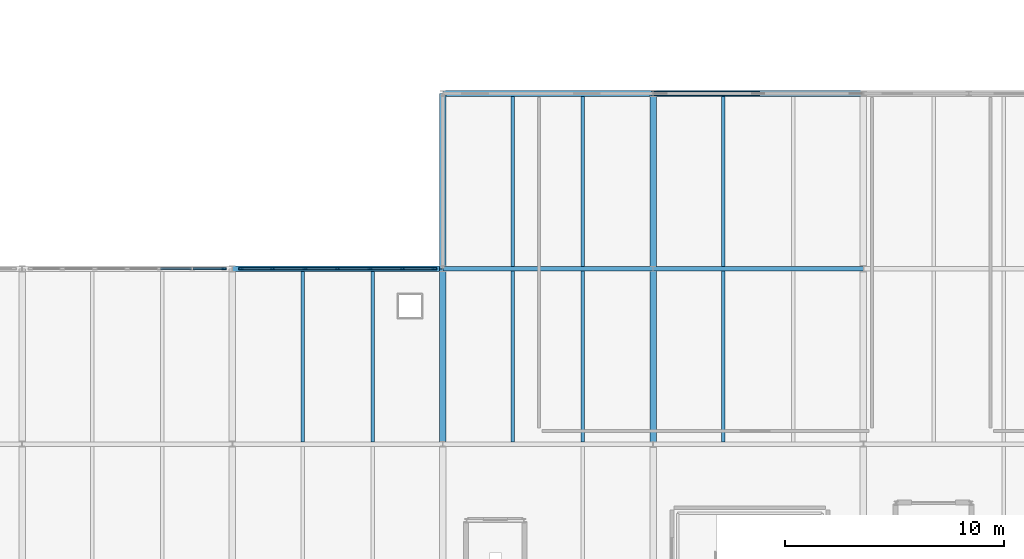
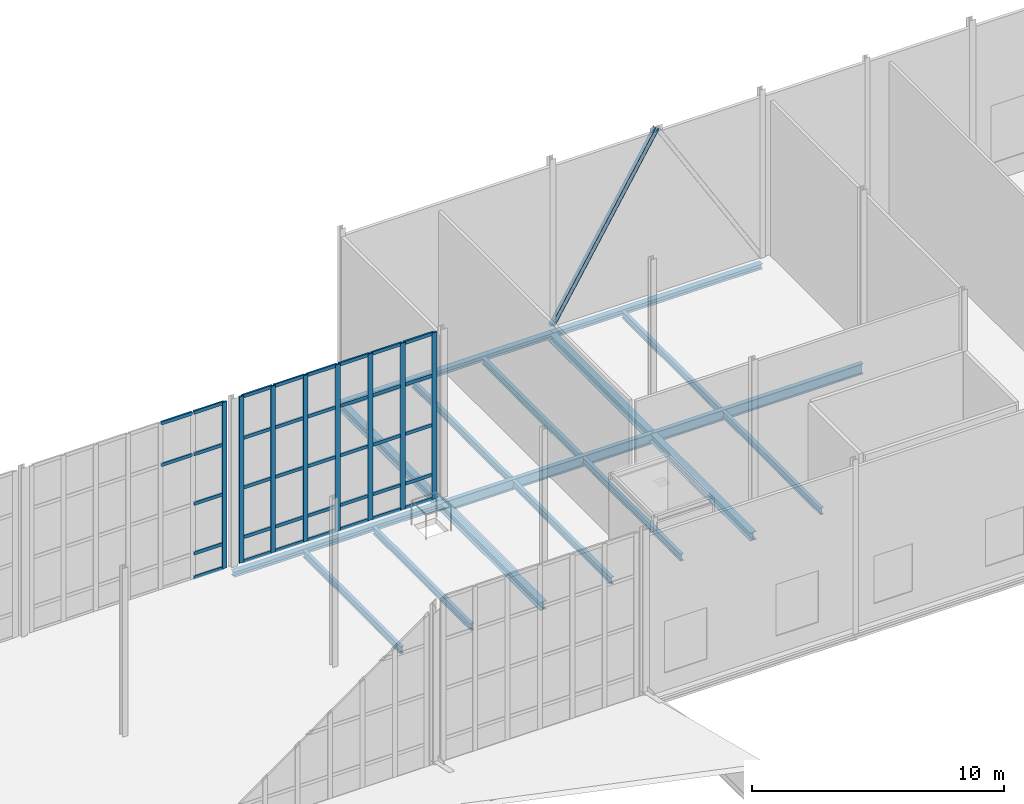
# One storey, part 41 of 73: 46 members, 17 beams, 2 elements without a shape of their own.
"""IFC4 building model written with IfcOpenShell, lengths in metres."""

from ifc_helpers import new_model, si_unit, direction, frame, origin, origin_2d, place, context, subcontext, project, spatial, rectangle, i_section, extrude, material, layer, layer_set, material_profile, profile_set, type_object, element, aggregate, save


model = new_model("IFC4")

# Units and contexts
model_context = context("Model", 3, precision=1e-05, world=origin(), true_north=direction((0.0, 1.0)))
body_context = subcontext(model_context, "Body", "Model", "MODEL_VIEW")
ifc_project = project(units=[si_unit("LENGTHUNIT", "METRE"), si_unit("AREAUNIT", "SQUARE_METRE"), si_unit("VOLUMEUNIT", "CUBIC_METRE"), si_unit("PLANEANGLEUNIT", "RADIAN"), si_unit("MASSUNIT", "GRAM", prefix="KILO")], contexts=[model_context])

# Site, building, storey
site_placement = place(None, origin())
site = spatial("IfcSite", under=ifc_project, at=site_placement, CompositionType="ELEMENT")
building_placement = place(site_placement, origin())
building = spatial("IfcBuilding", under=site, at=building_placement, Name="Alderhovde Museum", CompositionType="ELEMENT")
storey_placement = place(building_placement, frame((0.0, 0.0, 17.39990234375)))
storey = spatial("IfcBuildingStorey", under=building, at=storey_placement, Name="L04", CompositionType="ELEMENT", Elevation=17.39990234375)

# Beams
ifc_material_1 = material(Name="Steel S355J2", Category="steel")
ifc_material_profile_1 = material_profile(ifc_material_1, i_section(OverallWidth=0.300048828125, OverallDepth=0.389892578125, WebThickness=0.010986328125, FlangeThickness=0.01904296875, FilletRadius=0.027099609375, at=origin_2d()), Name="HEA 400")
ifc_profile_set_1 = profile_set([ifc_material_profile_1], Name="Steel S355J2")
beam_type_1 = type_object("IfcBeamType", Name="BM-HEA400", PredefinedType="BEAM", material=ifc_profile_set_1)
for number, where, z_axis, x_axis, name in (
    (1, (115.199951171875, 80.0, -0.474853515625), (0.0, 1.0, 0.0), (-1.0, 0.0, 0.0), "L04 Grid Beam X=115.2 (80.0 TO 88.0)"),
    (2, (115.199951171875, 88.0, -0.474853515625), (0.0, 1.0, 0.0), (-1.0, 0.0, 0.0), "L04 Grid Beam X=115.2 (88.0 TO 96.0)"),
    (3, (124.800048828125, 80.0, -0.474853515625), (0.0, 1.0, 0.0), (-1.0, 0.0, 0.0), "L04 Grid Beam X=124.8 (80.0 TO 88.0)"),
    (4, (124.800048828125, 88.0, -0.474853515625), (0.0, 1.0, 0.0), (-1.0, 0.0, 0.0), "L04 Grid Beam X=124.8 (88.0 TO 96.0)"),
):
    element("IfcBeam", number, at=place(storey_placement, frame(where, z_axis=z_axis, x_axis=x_axis)), inside=storey, type_object=beam_type_1, Name=name, PredefinedType="BEAM", context=body_context, shape_type="SweptSolid", body=[
        extrude(i_section(OverallWidth=0.300048828125, OverallDepth=0.389892578125, WebThickness=0.010986328125, FlangeThickness=0.01904296875, FilletRadius=0.027099609375, at=origin_2d()), origin(), (0.0, 0.0, 1.0), 8.0),
    ])
ifc_material_2 = material(Name="Steel S355J2", Category="steel")
ifc_material_profile_2 = material_profile(ifc_material_2, i_section(OverallWidth=0.199951171875, OverallDepth=0.5, WebThickness=0.01025390625, FlangeThickness=0.01611328125, FilletRadius=0.02099609375, at=origin_2d()), Name="IPE 500")
ifc_profile_set_2 = profile_set([ifc_material_profile_2], Name="Steel S355J2")
beam_type_2 = type_object("IfcBeamType", Name="BM-IPE500", PredefinedType="BEAM", material=ifc_profile_set_2)
beam_1_placement = place(storey_placement, frame((115.199951171875, 88.0, -0.52978515625), z_axis=(1.0, 0.0, 0.0), x_axis=(0.0, 1.0, 0.0)))
element("IfcBeam", 5, at=beam_1_placement, inside=storey, type_object=beam_type_2, Name="L04 Grid Beam Y=88.0 (115.2 TO 124.8)", PredefinedType="BEAM", context=body_context, shape_type="SweptSolid", body=[
    extrude(i_section(OverallWidth=0.199951171875, OverallDepth=0.5, WebThickness=0.01025390625, FlangeThickness=0.01611328125, FilletRadius=0.02099609375, at=origin_2d()), origin(), (0.0, 0.0, 1.0), 9.60009765625),
])
beam_2_placement = place(storey_placement, frame((124.800048828125, 88.0, -0.52978515625), z_axis=(1.0, 0.0, 0.0), x_axis=(0.0, 1.0, 0.0)))
element("IfcBeam", 6, at=beam_2_placement, inside=storey, type_object=beam_type_2, Name="L04 Grid Beam Y=88.0 (124.8 TO 134.4)", PredefinedType="BEAM", context=body_context, shape_type="SweptSolid", body=[
    extrude(i_section(OverallWidth=0.199951171875, OverallDepth=0.5, WebThickness=0.01025390625, FlangeThickness=0.01611328125, FilletRadius=0.02099609375, at=origin_2d()), origin(), (0.0, 0.0, 1.0), 9.599853515625),
])

# Member
ifc_material_3 = material(Name="Steel S355J2", Category="steel")
ifc_material_profile_3 = material_profile(ifc_material_3, i_section(OverallWidth=0.199951171875, OverallDepth=0.18994140625, WebThickness=0.006591796875, FlangeThickness=0.010009765625, FilletRadius=0.01806640625, at=origin_2d()), Name="HEA 200")
ifc_profile_set_3 = profile_set([ifc_material_profile_3], Name="Steel S355J2")
member_type_1 = type_object("IfcMemberType", Name="BR-HEA200", PredefinedType="BRACE", material=ifc_profile_set_3)
member_1_placement = place(storey_placement, frame((124.800048828125, 96.0, 0.0), z_axis=(0.518297626393, 0.0, 0.855200310147), x_axis=(0.0, 1.0, 0.0)))
element("IfcMember", 7, at=member_1_placement, inside=storey, type_object=member_type_1, Name="L04 Chevron Brace BR-V5-N-L", PredefinedType="BRACE", context=body_context, shape_type="SweptSolid", body=[
    extrude(i_section(OverallWidth=0.199951171875, OverallDepth=0.18994140625, WebThickness=0.006591796875, FlangeThickness=0.010009765625, FilletRadius=0.01806640625, at=origin_2d()), origin(), (0.0, 0.0, 1.0), 9.26123046875),
])

# Curtain wall, member
ifc_material_4 = material(Name="Triple-Glazed Bronze-Anodised Curtain Wall", Category="glass")
ifc_layer = layer(ifc_material_4, 0.219970703125)
ifc_layer_set = layer_set([ifc_layer], Name="Triple-Glazed Bronze-Anodised Curtain Wall")
curtain_wall_type = type_object("IfcCurtainWallType", Name="CW-UNIT-890x805", PredefinedType="USERDEFINED", material=ifc_layer_set)
curtain_wall_1_placement = place(storey_placement, origin())
curtain_wall_1 = element("IfcCurtainWall", 8, at=curtain_wall_1_placement, inside=storey, type_object=curtain_wall_type, Name="L04 Unitised Curtain Wall 85", ObjectType="UNITISED CURTAIN WALL", PredefinedType="USERDEFINED")
ifc_material_5 = material(Name="Bronze-Anodised Aluminium EN AW-6063-T6", Category="aluminium")
ifc_material_profile_4 = material_profile(ifc_material_5, rectangle(XDim=0.074951171875, YDim=0.219970703125, at=origin_2d()), Name="MULLION 75x220")
ifc_profile_set_4 = profile_set([ifc_material_profile_4], Name="Bronze-Anodised Aluminium EN AW-6063-T6")
member_type_2 = type_object("IfcMemberType", Name="CWM-75x220", PredefinedType="MULLION", material=ifc_profile_set_4)
member_2_placement = place(storey_placement, frame((105.21240234375, 88.0, 0.0), z_axis=(0.0, 0.0, 1.0), x_axis=(0.0, 1.0, 0.0)))
member_2 = element("IfcMember", 9, at=member_2_placement, type_object=member_type_2, Name="CW21 mullion 7", PredefinedType="MULLION", context=body_context, shape_type="SweptSolid", body=[
    extrude(rectangle(XDim=0.074951171875, YDim=0.219970703125, at=origin_2d()), origin(), (0.0, 0.0, 1.0), 8.050048828125),
])

# Curtain wall, members
curtain_wall_2_placement = place(storey_placement, origin())
curtain_wall_2 = element("IfcCurtainWall", 10, at=curtain_wall_2_placement, inside=storey, type_object=curtain_wall_type, Name="L04 Unitised Curtain Wall 87", ObjectType="UNITISED CURTAIN WALL", PredefinedType="USERDEFINED")
member_3_placement = place(storey_placement, frame((105.987548828125, 88.0, 0.0), z_axis=(0.0, 0.0, 1.0), x_axis=(0.0, 1.0, 0.0)))
member_3 = element("IfcMember", 11, at=member_3_placement, type_object=member_type_2, Name="CW21 mullion 1", PredefinedType="MULLION", context=body_context, shape_type="SweptSolid", body=[
    extrude(rectangle(XDim=0.074951171875, YDim=0.219970703125, at=origin_2d()), origin(), (0.0, 0.0, 1.0), 8.050048828125),
])
member_4_placement = place(storey_placement, frame((107.433349609375, 88.0, 0.0), z_axis=(0.0, 0.0, 1.0), x_axis=(0.0, 1.0, 0.0)))
member_4 = element("IfcMember", 12, at=member_4_placement, type_object=member_type_2, Name="CW21 mullion 2", PredefinedType="MULLION", context=body_context, shape_type="SweptSolid", body=[
    extrude(rectangle(XDim=0.074951171875, YDim=0.219970703125, at=origin_2d()), origin(), (0.0, 0.0, 1.0), 8.050048828125),
])
member_5_placement = place(storey_placement, frame((108.916748046875, 88.0, 0.0), z_axis=(0.0, 0.0, 1.0), x_axis=(0.0, 1.0, 0.0)))
member_5 = element("IfcMember", 13, at=member_5_placement, type_object=member_type_2, Name="CW21 mullion 3", PredefinedType="MULLION", context=body_context, shape_type="SweptSolid", body=[
    extrude(rectangle(XDim=0.074951171875, YDim=0.219970703125, at=origin_2d()), origin(), (0.0, 0.0, 1.0), 8.050048828125),
])
member_6_placement = place(storey_placement, frame((110.39990234375, 88.0, 0.0), z_axis=(0.0, 0.0, 1.0), x_axis=(0.0, 1.0, 0.0)))
member_6 = element("IfcMember", 14, at=member_6_placement, type_object=member_type_2, Name="CW21 mullion 4", PredefinedType="MULLION", context=body_context, shape_type="SweptSolid", body=[
    extrude(rectangle(XDim=0.074951171875, YDim=0.219970703125, at=origin_2d()), origin(), (0.0, 0.0, 1.0), 8.050048828125),
])
member_7_placement = place(storey_placement, frame((111.88330078125, 88.0, 0.0), z_axis=(0.0, 0.0, 1.0), x_axis=(0.0, 1.0, 0.0)))
member_7 = element("IfcMember", 15, at=member_7_placement, type_object=member_type_2, Name="CW21 mullion 5", PredefinedType="MULLION", context=body_context, shape_type="SweptSolid", body=[
    extrude(rectangle(XDim=0.074951171875, YDim=0.219970703125, at=origin_2d()), origin(), (0.0, 0.0, 1.0), 8.050048828125),
])
member_8_placement = place(storey_placement, frame((113.36669921875, 88.0, 0.0), z_axis=(0.0, 0.0, 1.0), x_axis=(0.0, 1.0, 0.0)))
member_8 = element("IfcMember", 16, at=member_8_placement, type_object=member_type_2, Name="CW21 mullion 6", PredefinedType="MULLION", context=body_context, shape_type="SweptSolid", body=[
    extrude(rectangle(XDim=0.074951171875, YDim=0.219970703125, at=origin_2d()), origin(), (0.0, 0.0, 1.0), 8.050048828125),
])
member_9_placement = place(storey_placement, frame((114.8125, 88.0, 0.0), z_axis=(0.0, 0.0, 1.0), x_axis=(0.0, 1.0, 0.0)))
member_9 = element("IfcMember", 17, at=member_9_placement, type_object=member_type_2, Name="CW21 mullion 7", PredefinedType="MULLION", context=body_context, shape_type="SweptSolid", body=[
    extrude(rectangle(XDim=0.074951171875, YDim=0.219970703125, at=origin_2d()), origin(), (0.0, 0.0, 1.0), 8.050048828125),
])

# Member
ifc_material_6 = material(Name="Bronze-Anodised Aluminium EN AW-6063-T6", Category="aluminium")
ifc_material_profile_5 = material_profile(ifc_material_6, rectangle(XDim=0.074951171875, YDim=0.159912109375, at=origin_2d()), Name="TRANSOM 75x160")
ifc_profile_set_5 = profile_set([ifc_material_profile_5], Name="Bronze-Anodised Aluminium EN AW-6063-T6")
member_type_3 = type_object("IfcMemberType", Name="CWT-75x160", PredefinedType="USERDEFINED", material=ifc_profile_set_5)
member_10_placement = place(storey_placement, frame((102.32080078125, 88.0, 6.0), z_axis=(1.0, 0.0, 0.0), x_axis=(0.0, 1.0, 0.0)))
member_10 = element("IfcMember", 18, at=member_10_placement, type_object=member_type_3, Name="CW21 transom 5.4", ObjectType="TRANSOM", PredefinedType="USERDEFINED", context=body_context, shape_type="SweptSolid", body=[
    extrude(rectangle(XDim=0.074951171875, YDim=0.159912109375, at=origin_2d()), origin(), (0.0, 0.0, 1.0), 1.408447265625),
])

member_11_placement = place(storey_placement, frame((102.32080078125, 88.0, 8.0126953125), z_axis=(1.0, 0.0, 0.0), x_axis=(0.0, 1.0, 0.0)))
member_11 = element("IfcMember", 19, at=member_11_placement, type_object=member_type_3, Name="CW21 transom 5.5", ObjectType="TRANSOM", PredefinedType="USERDEFINED", context=body_context, shape_type="SweptSolid", body=[
    extrude(rectangle(XDim=0.074951171875, YDim=0.159912109375, at=origin_2d()), origin(), (0.0, 0.0, 1.0), 1.408447265625),
])

member_12_placement = place(storey_placement, frame((103.80419921875, 88.0, 0.03759765625), z_axis=(1.0, 0.0, 0.0), x_axis=(0.0, 1.0, 0.0)))
member_12 = element("IfcMember", 20, at=member_12_placement, type_object=member_type_3, Name="CW21 transom 6.1", ObjectType="TRANSOM", PredefinedType="USERDEFINED", context=body_context, shape_type="SweptSolid", body=[
    extrude(rectangle(XDim=0.074951171875, YDim=0.159912109375, at=origin_2d()), origin(), (0.0, 0.0, 1.0), 1.370849609375),
])

member_13_placement = place(storey_placement, frame((103.80419921875, 88.0, 1.2001953125), z_axis=(1.0, 0.0, 0.0), x_axis=(0.0, 1.0, 0.0)))
member_13 = element("IfcMember", 21, at=member_13_placement, type_object=member_type_3, Name="CW21 transom 6.2", ObjectType="TRANSOM", PredefinedType="USERDEFINED", context=body_context, shape_type="SweptSolid", body=[
    extrude(rectangle(XDim=0.074951171875, YDim=0.159912109375, at=origin_2d()), origin(), (0.0, 0.0, 1.0), 1.370849609375),
])

member_14_placement = place(storey_placement, frame((103.80419921875, 88.0, 3.60009765625), z_axis=(1.0, 0.0, 0.0), x_axis=(0.0, 1.0, 0.0)))
member_14 = element("IfcMember", 22, at=member_14_placement, type_object=member_type_3, Name="CW21 transom 6.3", ObjectType="TRANSOM", PredefinedType="USERDEFINED", context=body_context, shape_type="SweptSolid", body=[
    extrude(rectangle(XDim=0.074951171875, YDim=0.159912109375, at=origin_2d()), origin(), (0.0, 0.0, 1.0), 1.370849609375),
])

member_15_placement = place(storey_placement, frame((103.80419921875, 88.0, 6.0), z_axis=(1.0, 0.0, 0.0), x_axis=(0.0, 1.0, 0.0)))
member_15 = element("IfcMember", 23, at=member_15_placement, type_object=member_type_3, Name="CW21 transom 6.4", ObjectType="TRANSOM", PredefinedType="USERDEFINED", context=body_context, shape_type="SweptSolid", body=[
    extrude(rectangle(XDim=0.074951171875, YDim=0.159912109375, at=origin_2d()), origin(), (0.0, 0.0, 1.0), 1.370849609375),
])

member_16_placement = place(storey_placement, frame((103.80419921875, 88.0, 8.0126953125), z_axis=(1.0, 0.0, 0.0), x_axis=(0.0, 1.0, 0.0)))
member_16 = element("IfcMember", 24, at=member_16_placement, type_object=member_type_3, Name="CW21 transom 6.5", ObjectType="TRANSOM", PredefinedType="USERDEFINED", context=body_context, shape_type="SweptSolid", body=[
    extrude(rectangle(XDim=0.074951171875, YDim=0.159912109375, at=origin_2d()), origin(), (0.0, 0.0, 1.0), 1.370849609375),
])

aggregate(curtain_wall_1, [member_2, member_10, member_11, member_12, member_13, member_14, member_15, member_16])

member_17_placement = place(storey_placement, frame((106.02490234375, 88.0, 0.03759765625), z_axis=(1.0, 0.0, 0.0), x_axis=(0.0, 1.0, 0.0)))
member_17 = element("IfcMember", 25, at=member_17_placement, type_object=member_type_3, Name="CW21 transom 1.1", ObjectType="TRANSOM", PredefinedType="USERDEFINED", context=body_context, shape_type="SweptSolid", body=[
    extrude(rectangle(XDim=0.074951171875, YDim=0.159912109375, at=origin_2d()), origin(), (0.0, 0.0, 1.0), 1.370849609375),
])

member_18_placement = place(storey_placement, frame((106.02490234375, 88.0, 1.2001953125), z_axis=(1.0, 0.0, 0.0), x_axis=(0.0, 1.0, 0.0)))
member_18 = element("IfcMember", 26, at=member_18_placement, type_object=member_type_3, Name="CW21 transom 1.2", ObjectType="TRANSOM", PredefinedType="USERDEFINED", context=body_context, shape_type="SweptSolid", body=[
    extrude(rectangle(XDim=0.074951171875, YDim=0.159912109375, at=origin_2d()), origin(), (0.0, 0.0, 1.0), 1.370849609375),
])

member_19_placement = place(storey_placement, frame((106.02490234375, 88.0, 3.60009765625), z_axis=(1.0, 0.0, 0.0), x_axis=(0.0, 1.0, 0.0)))
member_19 = element("IfcMember", 27, at=member_19_placement, type_object=member_type_3, Name="CW21 transom 1.3", ObjectType="TRANSOM", PredefinedType="USERDEFINED", context=body_context, shape_type="SweptSolid", body=[
    extrude(rectangle(XDim=0.074951171875, YDim=0.159912109375, at=origin_2d()), origin(), (0.0, 0.0, 1.0), 1.370849609375),
])

member_20_placement = place(storey_placement, frame((106.02490234375, 88.0, 6.0), z_axis=(1.0, 0.0, 0.0), x_axis=(0.0, 1.0, 0.0)))
member_20 = element("IfcMember", 28, at=member_20_placement, type_object=member_type_3, Name="CW21 transom 1.4", ObjectType="TRANSOM", PredefinedType="USERDEFINED", context=body_context, shape_type="SweptSolid", body=[
    extrude(rectangle(XDim=0.074951171875, YDim=0.159912109375, at=origin_2d()), origin(), (0.0, 0.0, 1.0), 1.370849609375),
])

member_21_placement = place(storey_placement, frame((106.02490234375, 88.0, 8.0126953125), z_axis=(1.0, 0.0, 0.0), x_axis=(0.0, 1.0, 0.0)))
member_21 = element("IfcMember", 29, at=member_21_placement, type_object=member_type_3, Name="CW21 transom 1.5", ObjectType="TRANSOM", PredefinedType="USERDEFINED", context=body_context, shape_type="SweptSolid", body=[
    extrude(rectangle(XDim=0.074951171875, YDim=0.159912109375, at=origin_2d()), origin(), (0.0, 0.0, 1.0), 1.370849609375),
])

member_22_placement = place(storey_placement, frame((107.470947265625, 88.0, 0.03759765625), z_axis=(1.0, 0.0, 0.0), x_axis=(0.0, 1.0, 0.0)))
member_22 = element("IfcMember", 30, at=member_22_placement, type_object=member_type_3, Name="CW21 transom 2.1", ObjectType="TRANSOM", PredefinedType="USERDEFINED", context=body_context, shape_type="SweptSolid", body=[
    extrude(rectangle(XDim=0.074951171875, YDim=0.159912109375, at=origin_2d()), origin(), (0.0, 0.0, 1.0), 1.408203125),
])

member_23_placement = place(storey_placement, frame((107.470947265625, 88.0, 1.2001953125), z_axis=(1.0, 0.0, 0.0), x_axis=(0.0, 1.0, 0.0)))
member_23 = element("IfcMember", 31, at=member_23_placement, type_object=member_type_3, Name="CW21 transom 2.2", ObjectType="TRANSOM", PredefinedType="USERDEFINED", context=body_context, shape_type="SweptSolid", body=[
    extrude(rectangle(XDim=0.074951171875, YDim=0.159912109375, at=origin_2d()), origin(), (0.0, 0.0, 1.0), 1.408203125),
])

member_24_placement = place(storey_placement, frame((107.470947265625, 88.0, 3.60009765625), z_axis=(1.0, 0.0, 0.0), x_axis=(0.0, 1.0, 0.0)))
member_24 = element("IfcMember", 32, at=member_24_placement, type_object=member_type_3, Name="CW21 transom 2.3", ObjectType="TRANSOM", PredefinedType="USERDEFINED", context=body_context, shape_type="SweptSolid", body=[
    extrude(rectangle(XDim=0.074951171875, YDim=0.159912109375, at=origin_2d()), origin(), (0.0, 0.0, 1.0), 1.408203125),
])

member_25_placement = place(storey_placement, frame((107.470947265625, 88.0, 6.0), z_axis=(1.0, 0.0, 0.0), x_axis=(0.0, 1.0, 0.0)))
member_25 = element("IfcMember", 33, at=member_25_placement, type_object=member_type_3, Name="CW21 transom 2.4", ObjectType="TRANSOM", PredefinedType="USERDEFINED", context=body_context, shape_type="SweptSolid", body=[
    extrude(rectangle(XDim=0.074951171875, YDim=0.159912109375, at=origin_2d()), origin(), (0.0, 0.0, 1.0), 1.408203125),
])

member_26_placement = place(storey_placement, frame((107.470947265625, 88.0, 8.0126953125), z_axis=(1.0, 0.0, 0.0), x_axis=(0.0, 1.0, 0.0)))
member_26 = element("IfcMember", 34, at=member_26_placement, type_object=member_type_3, Name="CW21 transom 2.5", ObjectType="TRANSOM", PredefinedType="USERDEFINED", context=body_context, shape_type="SweptSolid", body=[
    extrude(rectangle(XDim=0.074951171875, YDim=0.159912109375, at=origin_2d()), origin(), (0.0, 0.0, 1.0), 1.408203125),
])

member_27_placement = place(storey_placement, frame((108.9541015625, 88.0, 0.03759765625), z_axis=(1.0, 0.0, 0.0), x_axis=(0.0, 1.0, 0.0)))
member_27 = element("IfcMember", 35, at=member_27_placement, type_object=member_type_3, Name="CW21 transom 3.1", ObjectType="TRANSOM", PredefinedType="USERDEFINED", context=body_context, shape_type="SweptSolid", body=[
    extrude(rectangle(XDim=0.074951171875, YDim=0.159912109375, at=origin_2d()), origin(), (0.0, 0.0, 1.0), 1.408447265625),
])

member_28_placement = place(storey_placement, frame((108.9541015625, 88.0, 1.2001953125), z_axis=(1.0, 0.0, 0.0), x_axis=(0.0, 1.0, 0.0)))
member_28 = element("IfcMember", 36, at=member_28_placement, type_object=member_type_3, Name="CW21 transom 3.2", ObjectType="TRANSOM", PredefinedType="USERDEFINED", context=body_context, shape_type="SweptSolid", body=[
    extrude(rectangle(XDim=0.074951171875, YDim=0.159912109375, at=origin_2d()), origin(), (0.0, 0.0, 1.0), 1.408447265625),
])

member_29_placement = place(storey_placement, frame((108.9541015625, 88.0, 3.60009765625), z_axis=(1.0, 0.0, 0.0), x_axis=(0.0, 1.0, 0.0)))
member_29 = element("IfcMember", 37, at=member_29_placement, type_object=member_type_3, Name="CW21 transom 3.3", ObjectType="TRANSOM", PredefinedType="USERDEFINED", context=body_context, shape_type="SweptSolid", body=[
    extrude(rectangle(XDim=0.074951171875, YDim=0.159912109375, at=origin_2d()), origin(), (0.0, 0.0, 1.0), 1.408447265625),
])

member_30_placement = place(storey_placement, frame((108.9541015625, 88.0, 6.0), z_axis=(1.0, 0.0, 0.0), x_axis=(0.0, 1.0, 0.0)))
member_30 = element("IfcMember", 38, at=member_30_placement, type_object=member_type_3, Name="CW21 transom 3.4", ObjectType="TRANSOM", PredefinedType="USERDEFINED", context=body_context, shape_type="SweptSolid", body=[
    extrude(rectangle(XDim=0.074951171875, YDim=0.159912109375, at=origin_2d()), origin(), (0.0, 0.0, 1.0), 1.408447265625),
])

member_31_placement = place(storey_placement, frame((108.9541015625, 88.0, 8.0126953125), z_axis=(1.0, 0.0, 0.0), x_axis=(0.0, 1.0, 0.0)))
member_31 = element("IfcMember", 39, at=member_31_placement, type_object=member_type_3, Name="CW21 transom 3.5", ObjectType="TRANSOM", PredefinedType="USERDEFINED", context=body_context, shape_type="SweptSolid", body=[
    extrude(rectangle(XDim=0.074951171875, YDim=0.159912109375, at=origin_2d()), origin(), (0.0, 0.0, 1.0), 1.408447265625),
])

member_32_placement = place(storey_placement, frame((110.4375, 88.0, 0.03759765625), z_axis=(1.0, 0.0, 0.0), x_axis=(0.0, 1.0, 0.0)))
member_32 = element("IfcMember", 40, at=member_32_placement, type_object=member_type_3, Name="CW21 transom 4.1", ObjectType="TRANSOM", PredefinedType="USERDEFINED", context=body_context, shape_type="SweptSolid", body=[
    extrude(rectangle(XDim=0.074951171875, YDim=0.159912109375, at=origin_2d()), origin(), (0.0, 0.0, 1.0), 1.408447265625),
])

member_33_placement = place(storey_placement, frame((110.4375, 88.0, 1.2001953125), z_axis=(1.0, 0.0, 0.0), x_axis=(0.0, 1.0, 0.0)))
member_33 = element("IfcMember", 41, at=member_33_placement, type_object=member_type_3, Name="CW21 transom 4.2", ObjectType="TRANSOM", PredefinedType="USERDEFINED", context=body_context, shape_type="SweptSolid", body=[
    extrude(rectangle(XDim=0.074951171875, YDim=0.159912109375, at=origin_2d()), origin(), (0.0, 0.0, 1.0), 1.408447265625),
])

member_34_placement = place(storey_placement, frame((110.4375, 88.0, 3.60009765625), z_axis=(1.0, 0.0, 0.0), x_axis=(0.0, 1.0, 0.0)))
member_34 = element("IfcMember", 42, at=member_34_placement, type_object=member_type_3, Name="CW21 transom 4.3", ObjectType="TRANSOM", PredefinedType="USERDEFINED", context=body_context, shape_type="SweptSolid", body=[
    extrude(rectangle(XDim=0.074951171875, YDim=0.159912109375, at=origin_2d()), origin(), (0.0, 0.0, 1.0), 1.408447265625),
])

member_35_placement = place(storey_placement, frame((110.4375, 88.0, 6.0), z_axis=(1.0, 0.0, 0.0), x_axis=(0.0, 1.0, 0.0)))
member_35 = element("IfcMember", 43, at=member_35_placement, type_object=member_type_3, Name="CW21 transom 4.4", ObjectType="TRANSOM", PredefinedType="USERDEFINED", context=body_context, shape_type="SweptSolid", body=[
    extrude(rectangle(XDim=0.074951171875, YDim=0.159912109375, at=origin_2d()), origin(), (0.0, 0.0, 1.0), 1.408447265625),
])

member_36_placement = place(storey_placement, frame((110.4375, 88.0, 8.0126953125), z_axis=(1.0, 0.0, 0.0), x_axis=(0.0, 1.0, 0.0)))
member_36 = element("IfcMember", 44, at=member_36_placement, type_object=member_type_3, Name="CW21 transom 4.5", ObjectType="TRANSOM", PredefinedType="USERDEFINED", context=body_context, shape_type="SweptSolid", body=[
    extrude(rectangle(XDim=0.074951171875, YDim=0.159912109375, at=origin_2d()), origin(), (0.0, 0.0, 1.0), 1.408447265625),
])

member_37_placement = place(storey_placement, frame((111.9208984375, 88.0, 0.03759765625), z_axis=(1.0, 0.0, 0.0), x_axis=(0.0, 1.0, 0.0)))
member_37 = element("IfcMember", 45, at=member_37_placement, type_object=member_type_3, Name="CW21 transom 5.1", ObjectType="TRANSOM", PredefinedType="USERDEFINED", context=body_context, shape_type="SweptSolid", body=[
    extrude(rectangle(XDim=0.074951171875, YDim=0.159912109375, at=origin_2d()), origin(), (0.0, 0.0, 1.0), 1.408203125),
])

member_38_placement = place(storey_placement, frame((111.9208984375, 88.0, 1.2001953125), z_axis=(1.0, 0.0, 0.0), x_axis=(0.0, 1.0, 0.0)))
member_38 = element("IfcMember", 46, at=member_38_placement, type_object=member_type_3, Name="CW21 transom 5.2", ObjectType="TRANSOM", PredefinedType="USERDEFINED", context=body_context, shape_type="SweptSolid", body=[
    extrude(rectangle(XDim=0.074951171875, YDim=0.159912109375, at=origin_2d()), origin(), (0.0, 0.0, 1.0), 1.408203125),
])

member_39_placement = place(storey_placement, frame((111.9208984375, 88.0, 3.60009765625), z_axis=(1.0, 0.0, 0.0), x_axis=(0.0, 1.0, 0.0)))
member_39 = element("IfcMember", 47, at=member_39_placement, type_object=member_type_3, Name="CW21 transom 5.3", ObjectType="TRANSOM", PredefinedType="USERDEFINED", context=body_context, shape_type="SweptSolid", body=[
    extrude(rectangle(XDim=0.074951171875, YDim=0.159912109375, at=origin_2d()), origin(), (0.0, 0.0, 1.0), 1.408203125),
])

member_40_placement = place(storey_placement, frame((111.9208984375, 88.0, 6.0), z_axis=(1.0, 0.0, 0.0), x_axis=(0.0, 1.0, 0.0)))
member_40 = element("IfcMember", 48, at=member_40_placement, type_object=member_type_3, Name="CW21 transom 5.4", ObjectType="TRANSOM", PredefinedType="USERDEFINED", context=body_context, shape_type="SweptSolid", body=[
    extrude(rectangle(XDim=0.074951171875, YDim=0.159912109375, at=origin_2d()), origin(), (0.0, 0.0, 1.0), 1.408203125),
])

member_41_placement = place(storey_placement, frame((111.9208984375, 88.0, 8.0126953125), z_axis=(1.0, 0.0, 0.0), x_axis=(0.0, 1.0, 0.0)))
member_41 = element("IfcMember", 49, at=member_41_placement, type_object=member_type_3, Name="CW21 transom 5.5", ObjectType="TRANSOM", PredefinedType="USERDEFINED", context=body_context, shape_type="SweptSolid", body=[
    extrude(rectangle(XDim=0.074951171875, YDim=0.159912109375, at=origin_2d()), origin(), (0.0, 0.0, 1.0), 1.408203125),
])

member_42_placement = place(storey_placement, frame((113.404052734375, 88.0, 0.03759765625), z_axis=(1.0, 0.0, 0.0), x_axis=(0.0, 1.0, 0.0)))
member_42 = element("IfcMember", 50, at=member_42_placement, type_object=member_type_3, Name="CW21 transom 6.1", ObjectType="TRANSOM", PredefinedType="USERDEFINED", context=body_context, shape_type="SweptSolid", body=[
    extrude(rectangle(XDim=0.074951171875, YDim=0.159912109375, at=origin_2d()), origin(), (0.0, 0.0, 1.0), 1.370849609375),
])

member_43_placement = place(storey_placement, frame((113.404052734375, 88.0, 1.2001953125), z_axis=(1.0, 0.0, 0.0), x_axis=(0.0, 1.0, 0.0)))
member_43 = element("IfcMember", 51, at=member_43_placement, type_object=member_type_3, Name="CW21 transom 6.2", ObjectType="TRANSOM", PredefinedType="USERDEFINED", context=body_context, shape_type="SweptSolid", body=[
    extrude(rectangle(XDim=0.074951171875, YDim=0.159912109375, at=origin_2d()), origin(), (0.0, 0.0, 1.0), 1.370849609375),
])

member_44_placement = place(storey_placement, frame((113.404052734375, 88.0, 3.60009765625), z_axis=(1.0, 0.0, 0.0), x_axis=(0.0, 1.0, 0.0)))
member_44 = element("IfcMember", 52, at=member_44_placement, type_object=member_type_3, Name="CW21 transom 6.3", ObjectType="TRANSOM", PredefinedType="USERDEFINED", context=body_context, shape_type="SweptSolid", body=[
    extrude(rectangle(XDim=0.074951171875, YDim=0.159912109375, at=origin_2d()), origin(), (0.0, 0.0, 1.0), 1.370849609375),
])

member_45_placement = place(storey_placement, frame((113.404052734375, 88.0, 6.0), z_axis=(1.0, 0.0, 0.0), x_axis=(0.0, 1.0, 0.0)))
member_45 = element("IfcMember", 53, at=member_45_placement, type_object=member_type_3, Name="CW21 transom 6.4", ObjectType="TRANSOM", PredefinedType="USERDEFINED", context=body_context, shape_type="SweptSolid", body=[
    extrude(rectangle(XDim=0.074951171875, YDim=0.159912109375, at=origin_2d()), origin(), (0.0, 0.0, 1.0), 1.370849609375),
])

member_46_placement = place(storey_placement, frame((113.404052734375, 88.0, 8.0126953125), z_axis=(1.0, 0.0, 0.0), x_axis=(0.0, 1.0, 0.0)))
member_46 = element("IfcMember", 54, at=member_46_placement, type_object=member_type_3, Name="CW21 transom 6.5", ObjectType="TRANSOM", PredefinedType="USERDEFINED", context=body_context, shape_type="SweptSolid", body=[
    extrude(rectangle(XDim=0.074951171875, YDim=0.159912109375, at=origin_2d()), origin(), (0.0, 0.0, 1.0), 1.370849609375),
])

aggregate(curtain_wall_2, [member_3, member_4, member_5, member_6, member_7, member_8, member_9, member_17, member_18, member_19, member_20, member_21, member_22, member_23, member_24, member_25, member_26, member_27, member_28, member_29, member_30, member_31, member_32, member_33, member_34, member_35, member_36, member_37, member_38, member_39, member_40, member_41, member_42, member_43, member_44, member_45, member_46])

# Beams
ifc_material_7 = material(Name="Steel S355J2", Category="steel")
ifc_material_profile_6 = material_profile(ifc_material_7, i_section(OverallWidth=0.159912109375, OverallDepth=0.330078125, WebThickness=0.007568359375, FlangeThickness=0.011474609375, FilletRadius=0.01806640625, at=origin_2d()), Name="IPE 330")
ifc_profile_set_6 = profile_set([ifc_material_profile_6], Name="Steel S355J2")
beam_type_3 = type_object("IfcBeamType", Name="JST-IPE330", PredefinedType="JOIST", material=ifc_profile_set_6)
for number, where, z_axis, x_axis, name in (
    (55, (108.800048828125, 80.10498046875, -0.44482421875), (0.0, 1.0, 0.0), (-1.0, 0.0, 0.0), "L04 Composite Joist X=108.8 (80.0 TO 88.0)"),
    (56, (112.0, 80.10498046875, -0.44482421875), (0.0, 1.0, 0.0), (-1.0, 0.0, 0.0), "L04 Composite Joist X=112.0 (80.0 TO 88.0)"),
):
    element("IfcBeam", number, at=place(storey_placement, frame(where, z_axis=z_axis, x_axis=x_axis)), inside=storey, type_object=beam_type_3, Name=name, PredefinedType="JOIST", context=body_context, shape_type="SweptSolid", body=[
        extrude(i_section(OverallWidth=0.159912109375, OverallDepth=0.330078125, WebThickness=0.007568359375, FlangeThickness=0.011474609375, FilletRadius=0.01806640625, at=origin_2d()), origin(), (0.0, 0.0, 1.0), 7.76513671875),
    ])
for number, where, z_axis, x_axis, name in (
    (57, (118.39990234375, 80.10498046875, -0.44482421875), (0.0, 1.0, 0.0), (-1.0, 0.0, 0.0), "L04 Composite Joist X=118.4 (80.0 TO 88.0)"),
    (58, (121.60009765625, 80.10498046875, -0.44482421875), (0.0, 1.0, 0.0), (-1.0, 0.0, 0.0), "L04 Composite Joist X=121.6 (80.0 TO 88.0)"),
):
    element("IfcBeam", number, at=place(storey_placement, frame(where, z_axis=z_axis, x_axis=x_axis)), inside=storey, type_object=beam_type_3, Name=name, PredefinedType="JOIST", context=body_context, shape_type="SweptSolid", body=[
        extrude(i_section(OverallWidth=0.159912109375, OverallDepth=0.330078125, WebThickness=0.007568359375, FlangeThickness=0.011474609375, FilletRadius=0.01806640625, at=origin_2d()), origin(), (0.0, 0.0, 1.0), 7.794921875),
    ])
for number, where, z_axis, x_axis, name in (
    (59, (118.39990234375, 88.10009765625, -0.44482421875), (0.0, 1.0, 0.0), (-1.0, 0.0, 0.0), "L04 Composite Joist X=118.4 (88.0 TO 96.0)"),
    (60, (121.60009765625, 88.10009765625, -0.44482421875), (0.0, 1.0, 0.0), (-1.0, 0.0, 0.0), "L04 Composite Joist X=121.6 (88.0 TO 96.0)"),
):
    element("IfcBeam", number, at=place(storey_placement, frame(where, z_axis=z_axis, x_axis=x_axis)), inside=storey, type_object=beam_type_3, Name=name, PredefinedType="JOIST", context=body_context, shape_type="SweptSolid", body=[
        extrude(i_section(OverallWidth=0.159912109375, OverallDepth=0.330078125, WebThickness=0.007568359375, FlangeThickness=0.011474609375, FilletRadius=0.01806640625, at=origin_2d()), origin(), (0.0, 0.0, 1.0), 7.77001953125),
    ])
beam_3_placement = place(storey_placement, frame((128.0, 80.10498046875, -0.44482421875), z_axis=(0.0, 1.0, 0.0), x_axis=(-1.0, 0.0, 0.0)))
element("IfcBeam", 61, at=beam_3_placement, inside=storey, type_object=beam_type_3, Name="L04 Composite Joist X=128.0 (80.0 TO 88.0)", PredefinedType="JOIST", context=body_context, shape_type="SweptSolid", body=[
    extrude(i_section(OverallWidth=0.159912109375, OverallDepth=0.330078125, WebThickness=0.007568359375, FlangeThickness=0.011474609375, FilletRadius=0.01806640625, at=origin_2d()), origin(), (0.0, 0.0, 1.0), 7.794921875),
])
beam_4_placement = place(storey_placement, frame((128.0, 88.10009765625, -0.44482421875), z_axis=(0.0, 1.0, 0.0), x_axis=(-1.0, 0.0, 0.0)))
element("IfcBeam", 62, at=beam_4_placement, inside=storey, type_object=beam_type_3, Name="L04 Composite Joist X=128.0 (88.0 TO 96.0)", PredefinedType="JOIST", context=body_context, shape_type="SweptSolid", body=[
    extrude(i_section(OverallWidth=0.159912109375, OverallDepth=0.330078125, WebThickness=0.007568359375, FlangeThickness=0.011474609375, FilletRadius=0.01806640625, at=origin_2d()), origin(), (0.0, 0.0, 1.0), 7.77001953125),
])
ifc_material_8 = material(Name="Steel S355J2", Category="steel")
ifc_material_profile_7 = material_profile(ifc_material_8, i_section(OverallWidth=0.260009765625, OverallDepth=0.25, WebThickness=0.007568359375, FlangeThickness=0.012451171875, FilletRadius=0.02392578125, at=origin_2d()), Name="HEA 260")
ifc_profile_set_7 = profile_set([ifc_material_profile_7], Name="Steel S355J2")
beam_type_4 = type_object("IfcBeamType", Name="SPD-HEA260", PredefinedType="SPANDREL", material=ifc_profile_set_7)
beam_5_placement = place(storey_placement, frame((105.60009765625, 88.0, -0.40478515625), z_axis=(1.0, 0.0, 0.0), x_axis=(0.0, 1.0, 0.0)))
element("IfcBeam", 63, at=beam_5_placement, inside=storey, type_object=beam_type_4, Name="L04 Grid Beam Y=88.0 (105.6 TO 115.2)", PredefinedType="SPANDREL", context=body_context, shape_type="SweptSolid", body=[
    extrude(i_section(OverallWidth=0.260009765625, OverallDepth=0.25, WebThickness=0.007568359375, FlangeThickness=0.012451171875, FilletRadius=0.02392578125, at=origin_2d()), origin(), (0.0, 0.0, 1.0), 9.599853515625),
])
beam_6_placement = place(storey_placement, frame((115.199951171875, 96.0, -0.40478515625), z_axis=(1.0, 0.0, 0.0), x_axis=(0.0, 1.0, 0.0)))
element("IfcBeam", 64, at=beam_6_placement, inside=storey, type_object=beam_type_4, Name="L04 Grid Beam Y=96.0 (115.2 TO 124.8)", PredefinedType="SPANDREL", context=body_context, shape_type="SweptSolid", body=[
    extrude(i_section(OverallWidth=0.260009765625, OverallDepth=0.25, WebThickness=0.007568359375, FlangeThickness=0.012451171875, FilletRadius=0.02392578125, at=origin_2d()), origin(), (0.0, 0.0, 1.0), 9.60009765625),
])
beam_7_placement = place(storey_placement, frame((124.800048828125, 96.0, -0.40478515625), z_axis=(1.0, 0.0, 0.0), x_axis=(0.0, 1.0, 0.0)))
element("IfcBeam", 65, at=beam_7_placement, inside=storey, type_object=beam_type_4, Name="L04 Grid Beam Y=96.0 (124.8 TO 134.4)", PredefinedType="SPANDREL", context=body_context, shape_type="SweptSolid", body=[
    extrude(i_section(OverallWidth=0.260009765625, OverallDepth=0.25, WebThickness=0.007568359375, FlangeThickness=0.012451171875, FilletRadius=0.02392578125, at=origin_2d()), origin(), (0.0, 0.0, 1.0), 9.599853515625),
])

save(model, "model.ifc")
